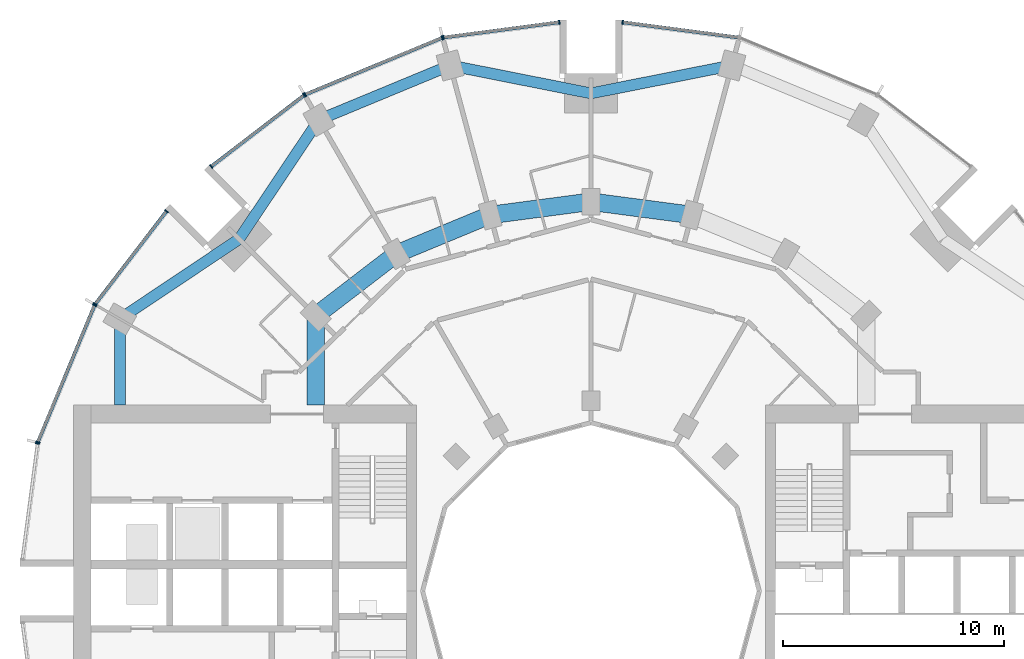
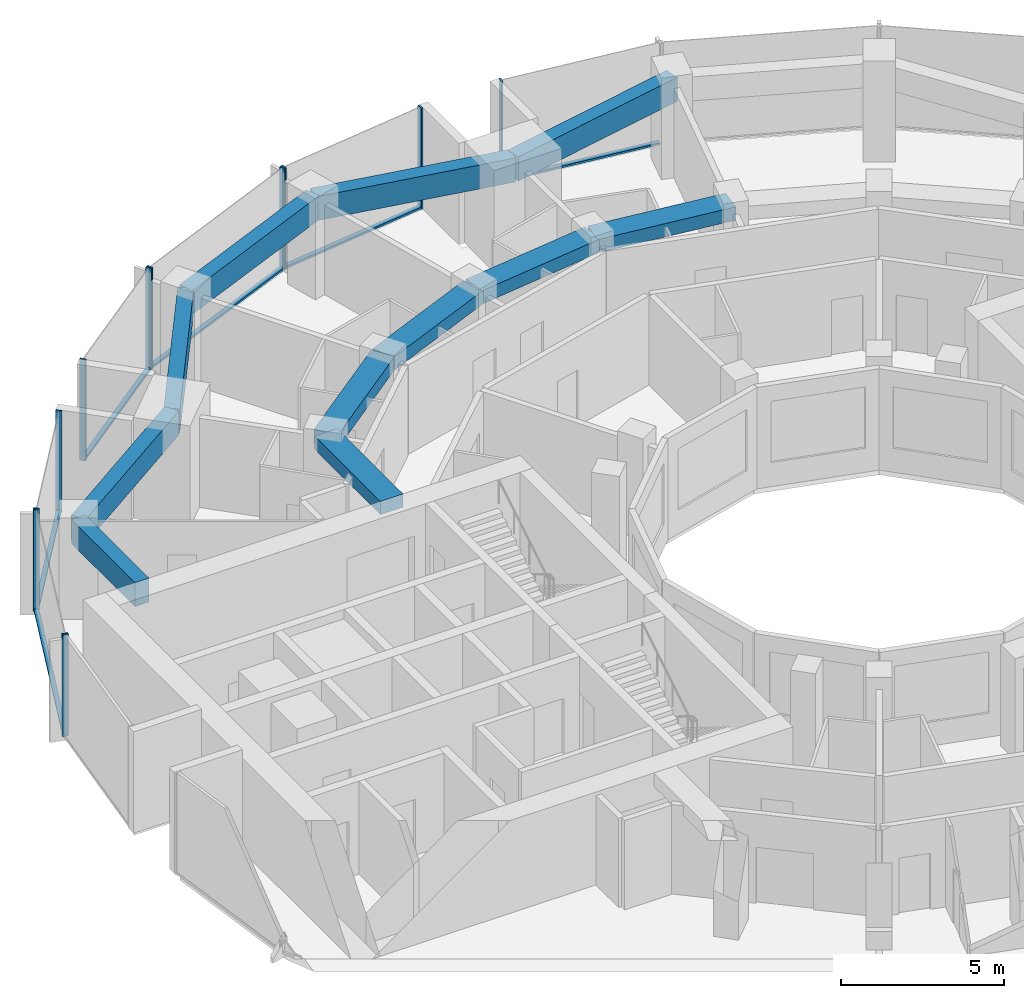
# One storey, part 5 of 15: 18 members, 11 beams, 7 elements without a shape of their own.
"""IFC4 building model written with IfcOpenShell, lengths in metres."""

from ifc_helpers import new_model, si_unit, direction, frame, origin, origin_2d, place, context, subcontext, project, spatial, rectangle, extrude, material, layer, layer_set, material_profile, profile_set, type_object, element, aggregate, save


model = new_model("IFC4")

# Units and contexts
model_context = context("Model", 3, precision=1e-05, world=origin(), true_north=direction((0.0, 1.0)))
body_context = subcontext(model_context, "Body", "Model", "MODEL_VIEW")
ifc_project = project(units=[si_unit("LENGTHUNIT", "METRE"), si_unit("AREAUNIT", "SQUARE_METRE"), si_unit("VOLUMEUNIT", "CUBIC_METRE"), si_unit("PLANEANGLEUNIT", "RADIAN"), si_unit("MASSUNIT", "GRAM", prefix="KILO")], contexts=[model_context])

# Site, building, storey
site_placement = place(None, origin())
site = spatial("IfcSite", under=ifc_project, at=site_placement, CompositionType="ELEMENT")
building_placement = place(site_placement, origin())
building = spatial("IfcBuilding", under=site, at=building_placement, Name="Torre Brocal", CompositionType="ELEMENT")
storey_placement = place(building_placement, frame((0.0, 0.0, 63.0)))
storey = spatial("IfcBuildingStorey", under=building, at=storey_placement, Name="L14", CompositionType="ELEMENT", Elevation=63.0)

# Curtain wall, member
ifc_material_1 = material(Name="Aluminium and glass", Category="aluminium")
ifc_layer_1 = layer(ifc_material_1, 0.199951171875)
ifc_layer_set_1 = layer_set([ifc_layer_1], Name="Aluminium and glass")
curtain_wall_type_1 = type_object("IfcCurtainWallType", Name="CW-1 CURTAIN WALL 3800 HIGH", PredefinedType="NOTDEFINED", material=ifc_layer_set_1)
curtain_wall_1_placement = place(storey_placement, origin())
curtain_wall_1 = element("IfcCurtainWall", 1, at=curtain_wall_1_placement, inside=storey, type_object=curtain_wall_type_1, Name="CW-1 RUN 6", PredefinedType="NOTDEFINED")
ifc_material_2 = material(Name="Aluminium, dark anodised", Category="aluminium")
ifc_material_profile_1 = material_profile(ifc_material_2, rectangle(XDim=0.199951171875, YDim=0.06005859375, at=origin_2d()), Name="CW-1 MULLION 60X200")
ifc_profile_set_1 = profile_set([ifc_material_profile_1], Name="Aluminium, dark anodised")
member_type_1 = type_object("IfcMemberType", Name="CW-1 MULLION 60X200", PredefinedType="MULLION", material=ifc_profile_set_1)
member_1_placement = place(storey_placement, frame((81.4296875, 100.7109375, 0.0), z_axis=(0.0, 0.0, 1.0), x_axis=(-0.13052619222, -0.991444861374, 0.0)))
member_1 = element("IfcMember", 2, at=member_1_placement, type_object=member_type_1, Name="CW1-1 mullion 2", PredefinedType="MULLION", context=body_context, shape_type="SweptSolid", body=[
    extrude(rectangle(XDim=0.199951171875, YDim=0.06005859375, at=origin_2d()), origin(), (0.0, 0.0, 1.0), 3.800048828125),
])

# Curtain wall, members
curtain_wall_2_placement = place(storey_placement, origin())
curtain_wall_2 = element("IfcCurtainWall", 3, at=curtain_wall_2_placement, inside=storey, type_object=curtain_wall_type_1, Name="CW-1 RUN 7", PredefinedType="NOTDEFINED")
member_2_placement = place(storey_placement, frame((78.5703125, 100.7109375, 0.0), z_axis=(0.0, 0.0, 1.0), x_axis=(0.13052619222, -0.991444861374, 0.0)))
member_2 = element("IfcMember", 4, at=member_2_placement, type_object=member_type_1, Name="CW1-1 mullion 1", PredefinedType="MULLION", context=body_context, shape_type="SweptSolid", body=[
    extrude(rectangle(XDim=0.199951171875, YDim=0.06005859375, at=origin_2d()), origin(), (0.0, 0.0, 1.0), 3.800048828125),
])
member_3_placement = place(storey_placement, frame((73.32666015625, 100.0205078125, 0.0), z_axis=(0.0, 0.0, 1.0), x_axis=(0.13052619222, -0.991444861374, 0.0)))
member_3 = element("IfcMember", 5, at=member_3_placement, type_object=member_type_1, Name="CW1-1 mullion 2", PredefinedType="MULLION", context=body_context, shape_type="SweptSolid", body=[
    extrude(rectangle(XDim=0.199951171875, YDim=0.06005859375, at=origin_2d()), origin(), (0.0, 0.0, 1.0), 3.800048828125),
])

curtain_wall_3_placement = place(storey_placement, origin())
curtain_wall_3 = element("IfcCurtainWall", 6, at=curtain_wall_3_placement, inside=storey, type_object=curtain_wall_type_1, Name="CW-1 RUN 8", PredefinedType="NOTDEFINED")
member_4_placement = place(storey_placement, frame((73.26904296875, 100.005126953125, 0.0), z_axis=(0.0, 0.0, 1.0), x_axis=(0.382683432333, -0.923879532525, 0.0)))
member_4 = element("IfcMember", 7, at=member_4_placement, type_object=member_type_1, Name="CW1-1 mullion 1", PredefinedType="MULLION", context=body_context, shape_type="SweptSolid", body=[
    extrude(rectangle(XDim=0.199951171875, YDim=0.06005859375, at=origin_2d()), origin(), (0.0, 0.0, 1.0), 3.800048828125),
])
member_5_placement = place(storey_placement, frame((67.078125, 97.440673828125, 0.0), z_axis=(0.0, 0.0, 1.0), x_axis=(0.382683432333, -0.923879532525, 0.0)))
member_5 = element("IfcMember", 8, at=member_5_placement, type_object=member_type_1, Name="CW1-1 mullion 2", PredefinedType="MULLION", context=body_context, shape_type="SweptSolid", body=[
    extrude(rectangle(XDim=0.199951171875, YDim=0.06005859375, at=origin_2d()), origin(), (0.0, 0.0, 1.0), 3.800048828125),
])

curtain_wall_4_placement = place(storey_placement, origin())
curtain_wall_4 = element("IfcCurtainWall", 9, at=curtain_wall_4_placement, inside=storey, type_object=curtain_wall_type_1, Name="CW-1 RUN 9", PredefinedType="NOTDEFINED")
member_6_placement = place(storey_placement, frame((67.026611328125, 97.4111328125, 0.0), z_axis=(0.0, 0.0, 1.0), x_axis=(0.60876142905, -0.793353340259, 0.0)))
member_6 = element("IfcMember", 10, at=member_6_placement, type_object=member_type_1, Name="CW1-1 mullion 1", PredefinedType="MULLION", context=body_context, shape_type="SweptSolid", body=[
    extrude(rectangle(XDim=0.199951171875, YDim=0.06005859375, at=origin_2d()), origin(), (0.0, 0.0, 1.0), 3.800048828125),
])
member_7_placement = place(storey_placement, frame((62.83056640625, 94.19140625, 0.0), z_axis=(0.0, 0.0, 1.0), x_axis=(0.60876142905, -0.793353340259, 0.0)))
member_7 = element("IfcMember", 11, at=member_7_placement, type_object=member_type_1, Name="CW1-1 mullion 2", PredefinedType="MULLION", context=body_context, shape_type="SweptSolid", body=[
    extrude(rectangle(XDim=0.199951171875, YDim=0.06005859375, at=origin_2d()), origin(), (0.0, 0.0, 1.0), 3.800048828125),
])

curtain_wall_5_placement = place(storey_placement, origin())
curtain_wall_5 = element("IfcCurtainWall", 12, at=curtain_wall_5_placement, inside=storey, type_object=curtain_wall_type_1, Name="CW-1 RUN 10", PredefinedType="NOTDEFINED")
member_8_placement = place(storey_placement, frame((60.80859375, 92.16943359375, 0.0), z_axis=(0.0, 0.0, 1.0), x_axis=(0.793353340259, -0.60876142905, 0.0)))
member_8 = element("IfcMember", 13, at=member_8_placement, type_object=member_type_1, Name="CW1-1 mullion 1", PredefinedType="MULLION", context=body_context, shape_type="SweptSolid", body=[
    extrude(rectangle(XDim=0.199951171875, YDim=0.06005859375, at=origin_2d()), origin(), (0.0, 0.0, 1.0), 3.800048828125),
])
member_9_placement = place(storey_placement, frame((57.5888671875, 87.973388671875, 0.0), z_axis=(0.0, 0.0, 1.0), x_axis=(0.793353340259, -0.60876142905, 0.0)))
member_9 = element("IfcMember", 14, at=member_9_placement, type_object=member_type_1, Name="CW1-1 mullion 2", PredefinedType="MULLION", context=body_context, shape_type="SweptSolid", body=[
    extrude(rectangle(XDim=0.199951171875, YDim=0.06005859375, at=origin_2d()), origin(), (0.0, 0.0, 1.0), 3.800048828125),
])

curtain_wall_6_placement = place(storey_placement, origin())
curtain_wall_6 = element("IfcCurtainWall", 15, at=curtain_wall_6_placement, inside=storey, type_object=curtain_wall_type_1, Name="CW-1 RUN 11", PredefinedType="NOTDEFINED")
member_10_placement = place(storey_placement, frame((57.559326171875, 87.921875, 0.0), z_axis=(0.0, 0.0, 1.0), x_axis=(0.923879532525, -0.382683432333, 0.0)))
member_10 = element("IfcMember", 16, at=member_10_placement, type_object=member_type_1, Name="CW1-1 mullion 1", PredefinedType="MULLION", context=body_context, shape_type="SweptSolid", body=[
    extrude(rectangle(XDim=0.199951171875, YDim=0.06005859375, at=origin_2d()), origin(), (0.0, 0.0, 1.0), 3.800048828125),
])
member_11_placement = place(storey_placement, frame((54.994873046875, 81.73095703125, 0.0), z_axis=(0.0, 0.0, 1.0), x_axis=(0.923879532525, -0.382683432333, 0.0)))
member_11 = element("IfcMember", 17, at=member_11_placement, type_object=member_type_1, Name="CW1-1 mullion 2", PredefinedType="MULLION", context=body_context, shape_type="SweptSolid", body=[
    extrude(rectangle(XDim=0.199951171875, YDim=0.06005859375, at=origin_2d()), origin(), (0.0, 0.0, 1.0), 3.800048828125),
])

# Member
ifc_material_3 = material(Name="Aluminium, dark anodised", Category="aluminium")
ifc_material_profile_2 = material_profile(ifc_material_3, rectangle(XDim=0.159912109375, YDim=0.080078125, at=origin_2d()), Name="CW-1 TRANSOM 160X80")
ifc_profile_set_2 = profile_set([ifc_material_profile_2], Name="Aluminium, dark anodised")
member_type_2 = type_object("IfcMemberType", Name="CW-1 TRANSOM 160X80", PredefinedType="USERDEFINED", material=ifc_profile_set_2)
member_12_placement = place(storey_placement, frame((86.643798828125, 100.0244140625, 0.0400390625), z_axis=(-0.991442690863, 0.130542677827, 0.0), x_axis=(-0.130542677827, -0.991442690863, 0.0)))
member_12 = element("IfcMember", 18, at=member_12_placement, type_object=member_type_2, Name="CW1-1 transom 1.1", ObjectType="TRANSOM", PredefinedType="USERDEFINED", context=body_context, shape_type="SweptSolid", body=[
    extrude(rectangle(XDim=0.159912109375, YDim=0.080078125, at=origin_2d()), origin(), (0.0, 0.0, 1.0), 5.22900390625),
])

aggregate(curtain_wall_1, [member_1, member_12])

member_13_placement = place(storey_placement, frame((78.54052734375, 100.70703125, 0.0400390625), z_axis=(-0.991442690863, -0.130542677827, 0.0), x_axis=(0.130542677827, -0.991442690863, 0.0)))
member_13 = element("IfcMember", 19, at=member_13_placement, type_object=member_type_2, Name="CW1-1 transom 1.1", ObjectType="TRANSOM", PredefinedType="USERDEFINED", context=body_context, shape_type="SweptSolid", body=[
    extrude(rectangle(XDim=0.159912109375, YDim=0.080078125, at=origin_2d()), origin(), (0.0, 0.0, 1.0), 5.22900390625),
])

aggregate(curtain_wall_2, [member_2, member_3, member_13])

member_14_placement = place(storey_placement, frame((73.241455078125, 99.99365234375, 0.0400390625), z_axis=(-0.923887344364, -0.38266457234, 0.0), x_axis=(0.38266457234, -0.923887344364, 0.0)))
member_14 = element("IfcMember", 20, at=member_14_placement, type_object=member_type_2, Name="CW1-1 transom 1.1", ObjectType="TRANSOM", PredefinedType="USERDEFINED", context=body_context, shape_type="SweptSolid", body=[
    extrude(rectangle(XDim=0.159912109375, YDim=0.080078125, at=origin_2d()), origin(), (0.0, 0.0, 1.0), 6.640869140625),
])

aggregate(curtain_wall_3, [member_4, member_5, member_14])

member_15_placement = place(storey_placement, frame((67.0029296875, 97.392822265625, 0.0400390625), z_axis=(-0.79336281513, -0.60874908096, 0.0), x_axis=(0.60874908096, -0.79336281513, 0.0)))
member_15 = element("IfcMember", 21, at=member_15_placement, type_object=member_type_2, Name="CW1-1 transom 1.1", ObjectType="TRANSOM", PredefinedType="USERDEFINED", context=body_context, shape_type="SweptSolid", body=[
    extrude(rectangle(XDim=0.159912109375, YDim=0.080078125, at=origin_2d()), origin(), (0.0, 0.0, 1.0), 5.22900390625),
])

aggregate(curtain_wall_4, [member_6, member_7, member_15])

member_16_placement = place(storey_placement, frame((60.790283203125, 92.1455078125, 0.0400390625), z_axis=(-0.60874908096, -0.79336281513, 0.0), x_axis=(0.79336281513, -0.60874908096, 0.0)))
member_16 = element("IfcMember", 22, at=member_16_placement, type_object=member_type_2, Name="CW1-1 transom 1.1", ObjectType="TRANSOM", PredefinedType="USERDEFINED", context=body_context, shape_type="SweptSolid", body=[
    extrude(rectangle(XDim=0.159912109375, YDim=0.080078125, at=origin_2d()), origin(), (0.0, 0.0, 1.0), 5.22900390625),
])

aggregate(curtain_wall_5, [member_8, member_9, member_16])

member_17_placement = place(storey_placement, frame((57.547607421875, 87.89404296875, 0.0400390625), z_axis=(-0.38266457234, -0.923887344364, 0.0), x_axis=(0.923887344364, -0.38266457234, 0.0)))
member_17 = element("IfcMember", 23, at=member_17_placement, type_object=member_type_2, Name="CW1-1 transom 1.1", ObjectType="TRANSOM", PredefinedType="USERDEFINED", context=body_context, shape_type="SweptSolid", body=[
    extrude(rectangle(XDim=0.159912109375, YDim=0.080078125, at=origin_2d()), origin(), (0.0, 0.0, 1.0), 6.640869140625),
])

aggregate(curtain_wall_6, [member_10, member_11, member_17])

# Curtain wall, member
ifc_material_4 = material(Name="Aluminium and glass", Category="aluminium")
ifc_layer_2 = layer(ifc_material_4, 0.199951171875)
ifc_layer_set_2 = layer_set([ifc_layer_2], Name="Aluminium and glass")
curtain_wall_type_2 = type_object("IfcCurtainWallType", Name="CW-1B CURTAIN WALL 3800 HIGH", PredefinedType="NOTDEFINED", material=ifc_layer_set_2)
curtain_wall_7_placement = place(storey_placement, origin())
curtain_wall_7 = element("IfcCurtainWall", 24, at=curtain_wall_7_placement, inside=storey, type_object=curtain_wall_type_2, Name="CW-1B RUN 12", PredefinedType="NOTDEFINED")
ifc_material_5 = material(Name="Aluminium, dark anodised", Category="aluminium")
ifc_material_profile_3 = material_profile(ifc_material_5, rectangle(XDim=0.199951171875, YDim=0.06005859375, at=origin_2d()), Name="CW-1B MULLION 60X200")
ifc_profile_set_3 = profile_set([ifc_material_profile_3], Name="Aluminium, dark anodised")
member_type_3 = type_object("IfcMemberType", Name="CW-1B MULLION 60X200", PredefinedType="MULLION", material=ifc_profile_set_3)
member_18_placement = place(storey_placement, frame((54.9794921875, 81.67333984375, 0.0), z_axis=(0.0, 0.0, 1.0), x_axis=(0.991444861374, -0.13052619222, 0.0)))
member_18 = element("IfcMember", 25, at=member_18_placement, type_object=member_type_3, Name="CW1B-1 mullion 1", PredefinedType="MULLION", context=body_context, shape_type="SweptSolid", body=[
    extrude(rectangle(XDim=0.199951171875, YDim=0.06005859375, at=origin_2d()), origin(), (0.0, 0.0, 1.0), 3.800048828125),
])
aggregate(curtain_wall_7, [member_18])

# Beams
ifc_material_6 = material(Name="Concrete C50", Category="concrete")
ifc_material_profile_4 = material_profile(ifc_material_6, rectangle(XDim=0.800048828125, YDim=0.5, at=origin_2d()), Name="RC 800X500")
ifc_profile_set_4 = profile_set([ifc_material_profile_4], Name="Concrete C50")
beam_type_1 = type_object("IfcBeamType", Name="RC BEAM 800X500 C50 TOP 3480", PredefinedType="BEAM", material=ifc_profile_set_4)
for number, where, z_axis, x_axis, name in (
    (26, (84.55517578125, 92.000244140625, 3.22998046875), (-0.991440544449, 0.130558978332, 0.0), (-0.130558978332, -0.991440544449, 0.0), "Beam BT-19"),
    (27, (80.0, 92.60009765625, 3.22998046875), (-0.991440544449, -0.130558978332, 0.0), (0.130558978332, -0.991440544449, 0.0), "Beam BT-19"),
):
    element("IfcBeam", number, at=place(storey_placement, frame(where, z_axis=z_axis, x_axis=x_axis)), inside=storey, type_object=beam_type_1, Name=name, PredefinedType="BEAM", context=body_context, shape_type="SweptSolid", body=[
        extrude(rectangle(XDim=0.800048828125, YDim=0.5, at=origin_2d()), origin(), (0.0, 0.0, 1.0), 4.594482421875),
    ])
beam_1_placement = place(storey_placement, frame((75.44482421875, 92.000244140625, 3.22998046875), z_axis=(-0.923878240166, -0.382686552348, 0.0), x_axis=(0.382686552348, -0.923878240166, 0.0)))
element("IfcBeam", 28, at=beam_1_placement, inside=storey, type_object=beam_type_1, Name="Beam BT-19", PredefinedType="BEAM", context=body_context, shape_type="SweptSolid", body=[
    extrude(rectangle(XDim=0.800048828125, YDim=0.5, at=origin_2d()), origin(), (0.0, 0.0, 1.0), 4.5947265625),
])
beam_2_placement = place(storey_placement, frame((71.199951171875, 90.241943359375, 3.22998046875), z_axis=(-0.793358265959, -0.6087550097, 0.0), x_axis=(0.6087550097, -0.793358265959, 0.0)))
element("IfcBeam", 29, at=beam_2_placement, inside=storey, type_object=beam_type_1, Name="Beam BT-19", PredefinedType="BEAM", context=body_context, shape_type="SweptSolid", body=[
    extrude(rectangle(XDim=0.800048828125, YDim=0.5, at=origin_2d()), origin(), (0.0, 0.0, 1.0), 4.594482421875),
])
beam_3_placement = place(storey_placement, frame((67.554931640625, 87.445068359375, 3.22998046875), z_axis=(0.0, -1.0, 0.0), x_axis=(1.0, 0.0, 0.0)))
element("IfcBeam", 30, at=beam_3_placement, inside=storey, type_object=beam_type_1, Name="Beam BT-19", PredefinedType="BEAM", context=body_context, shape_type="SweptSolid", body=[
    extrude(rectangle(XDim=0.800048828125, YDim=0.5, at=origin_2d()), origin(), (0.0, 0.0, 1.0), 4.045166015625),
])
ifc_material_7 = material(Name="Concrete C50", Category="concrete")
ifc_material_profile_5 = material_profile(ifc_material_7, rectangle(XDim=0.5, YDim=0.89990234375, at=origin_2d()), Name="RC 500X900")
ifc_profile_set_5 = profile_set([ifc_material_profile_5], Name="Concrete C50")
beam_type_2 = type_object("IfcBeamType", Name="RC SPANDREL BEAM 500X900 C50 TOP 3480", PredefinedType="SPANDREL", material=ifc_profile_set_5)
for number, where, z_axis, x_axis, name in (
    (31, (86.366943359375, 98.76171875, 3.030029296875), (-0.980924907484, -0.194387051723, 0.0), (0.194387051723, -0.980924907484, 0.0), "Beam BT-20"),
    (32, (80.0, 97.5, 3.030029296875), (-0.980924907484, 0.194387051723, 0.0), (-0.194387051723, -0.980924907484, 0.0), "Beam BT-20"),
):
    element("IfcBeam", number, at=place(storey_placement, frame(where, z_axis=z_axis, x_axis=x_axis)), inside=storey, type_object=beam_type_2, Name=name, PredefinedType="SPANDREL", context=body_context, shape_type="SweptSolid", body=[
        extrude(rectangle(XDim=0.5, YDim=0.89990234375, at=origin_2d()), origin(), (0.0, 0.0, 1.0), 6.49072265625),
    ])
beam_4_placement = place(storey_placement, frame((73.633056640625, 98.76171875, 3.030029296875), z_axis=(-0.923882462513, -0.382676358639, 0.0), x_axis=(0.382676358639, -0.923882462513, 0.0)))
element("IfcBeam", 33, at=beam_4_placement, inside=storey, type_object=beam_type_2, Name="Beam BT-20", PredefinedType="SPANDREL", context=body_context, shape_type="SweptSolid", body=[
    extrude(rectangle(XDim=0.5, YDim=0.89990234375, at=origin_2d()), origin(), (0.0, 0.0, 1.0), 6.421875),
])
for number, where, z_axis, x_axis, name in (
    (34, (67.699951171875, 96.30419921875, 3.030029296875), (-0.556157602282, -0.831076844476, 0.0), (0.831076844476, -0.556157602282, 0.0), "Beam BT-20"),
    (35, (64.090087890625, 90.909912109375, 3.030029296875), (-0.831076844476, -0.556157602282, 0.0), (0.556157602282, -0.831076844476, 0.0), "Beam BT-20"),
):
    element("IfcBeam", number, at=place(storey_placement, frame(where, z_axis=z_axis, x_axis=x_axis)), inside=storey, type_object=beam_type_2, Name=name, PredefinedType="SPANDREL", context=body_context, shape_type="SweptSolid", body=[
        extrude(rectangle(XDim=0.5, YDim=0.89990234375, at=origin_2d()), origin(), (0.0, 0.0, 1.0), 6.49072265625),
    ])
beam_5_placement = place(storey_placement, frame((58.69580078125, 87.300048828125, 3.030029296875), z_axis=(0.0, -1.0, 0.0), x_axis=(1.0, 0.0, 0.0)))
element("IfcBeam", 36, at=beam_5_placement, inside=storey, type_object=beam_type_2, Name="Beam BT-20", PredefinedType="SPANDREL", context=body_context, shape_type="SweptSolid", body=[
    extrude(rectangle(XDim=0.5, YDim=0.89990234375, at=origin_2d()), origin(), (0.0, 0.0, 1.0), 3.900146484375),
])

save(model, "model.ifc")
